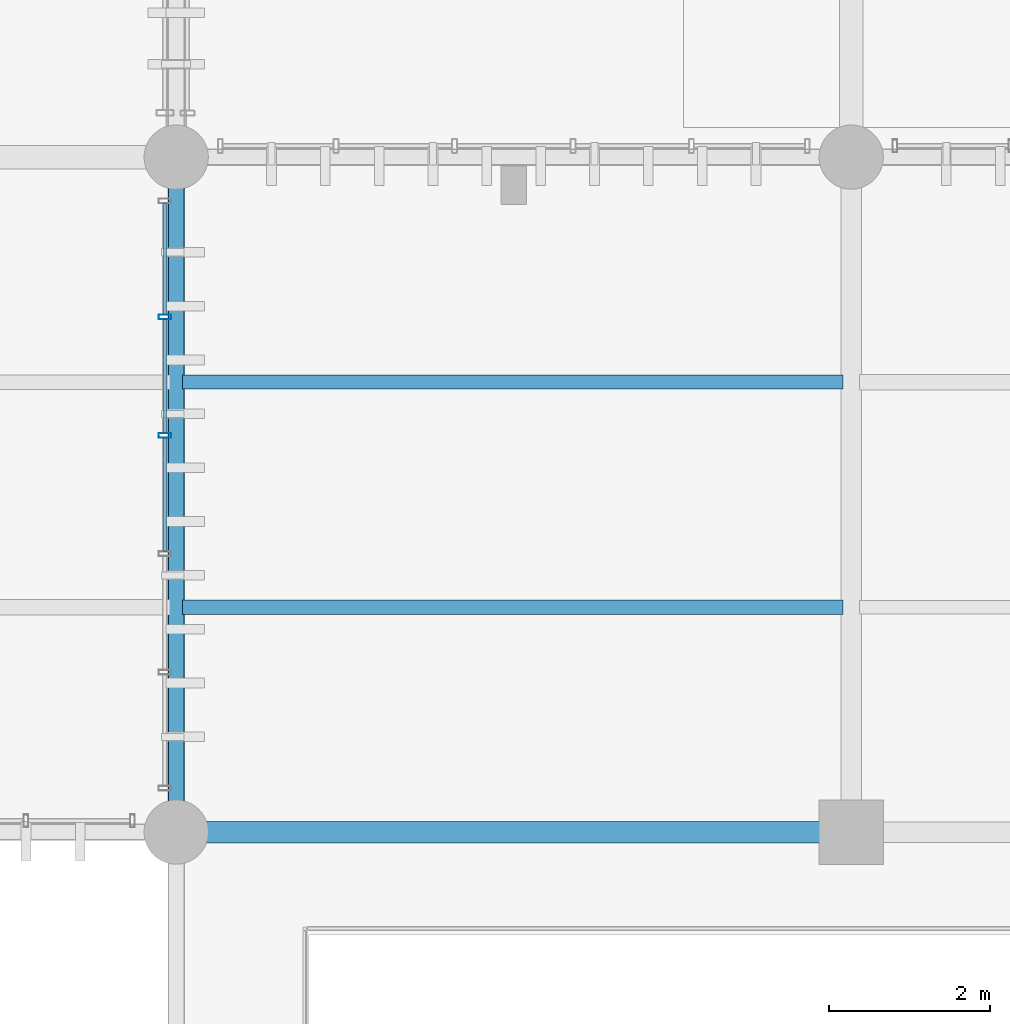
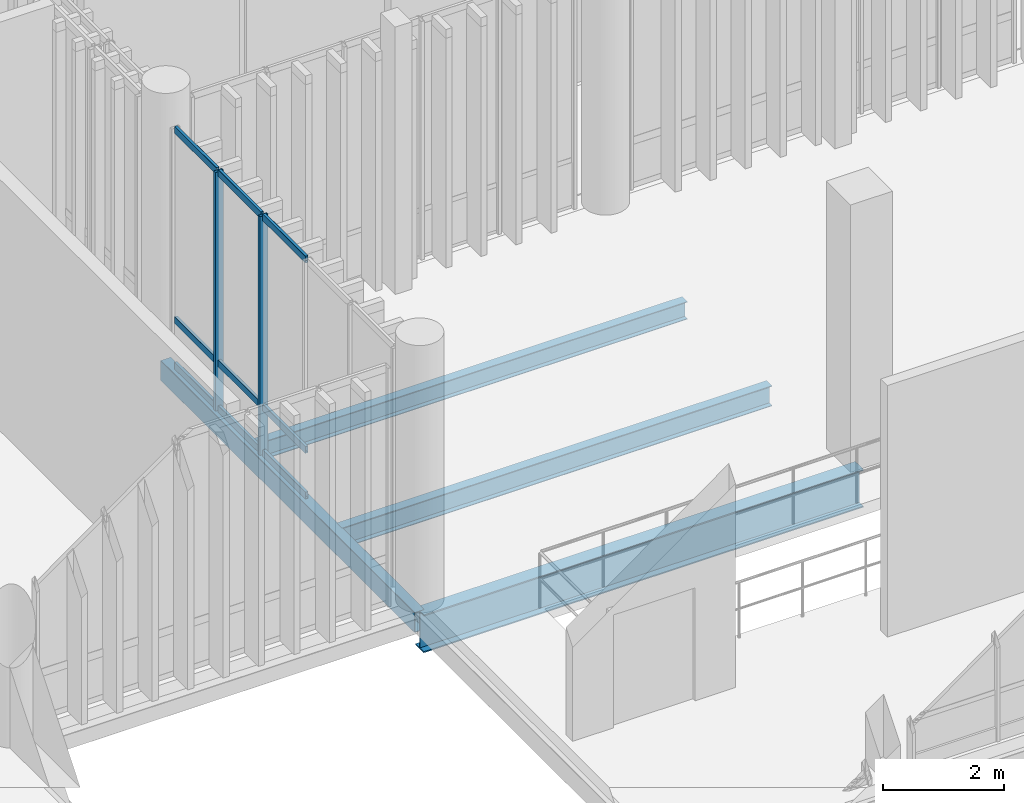
# One storey, part 23 of 128: 11 members, 4 beams, 1 element without a shape of its own.
"""IFC4 building model written with IfcOpenShell, lengths in metres."""

from ifc_helpers import new_model, si_unit, direction, frame, origin_with_axes, origin_2d_with_axis, place, context, subcontext, project, spatial, hollow_rectangle, i_section, extrude, material, material_profile, profile_set, type_object, element, aggregate, save


model = new_model("IFC4")

# Units and contexts
model_context = context("Model", 3, precision=1e-05, world=origin_with_axes(), true_north=direction((0.0, 1.0)))
body_context = subcontext(model_context, "Body", "Model", "MODEL_VIEW")
ifc_project = project(units=[si_unit("LENGTHUNIT", "METRE"), si_unit("AREAUNIT", "SQUARE_METRE"), si_unit("VOLUMEUNIT", "CUBIC_METRE"), si_unit("PLANEANGLEUNIT", "RADIAN"), si_unit("MASSUNIT", "GRAM", prefix="KILO"), si_unit("THERMODYNAMICTEMPERATUREUNIT", "KELVIN")], contexts=[model_context])

# Site, building, storey
site_placement = place(None, origin_with_axes())
site = spatial("IfcSite", under=ifc_project, at=site_placement, CompositionType="ELEMENT")
building_placement = place(site_placement, origin_with_axes())
building = spatial("IfcBuilding", under=site, at=building_placement, Name="Montbau Bow Law Courts", CompositionType="ELEMENT")
storey_placement = place(building_placement, frame((0.0, 0.0, 5.4), z_axis=(0.0, 0.0, 1.0), x_axis=(1.0, 0.0, 0.0)))
storey = spatial("IfcBuildingStorey", under=building, at=storey_placement, Name="L01", CompositionType="ELEMENT", Elevation=5.4)

# Beams
ifc_material_1 = material(Name="Steel CSA G40.21 Grade 350W (350 MPa)", Category="steel")
ifc_material_profile_1 = material_profile(ifc_material_1, i_section(OverallWidth=0.267, OverallDepth=0.766, WebThickness=0.0149, FlangeThickness=0.0236, at=origin_2d_with_axis()), Name="W760X185", Category="Main", Priority=0)
ifc_profile_set_1 = profile_set([ifc_material_profile_1], Name="Steel CSA G40.21 Grade 350W (350 MPa)")
beam_type_1 = type_object("IfcBeamType", Name="B-FLR-03", PredefinedType="BEAM", material=ifc_profile_set_1)
beam_1_placement = place(None, frame((46.8, 30.6, 4.777), z_axis=(1.0, 0.0, 0.0), x_axis=(0.0, 1.0, 0.0)))
element("IfcBeam", 1, at=beam_1_placement, inside=storey, type_object=beam_type_1, Name="BM-L01-S1070:bm2_1073", PredefinedType="BEAM", context=body_context, shape_type="SweptSolid", body=[
    extrude(i_section(OverallWidth=0.267, OverallDepth=0.766, WebThickness=0.0149, FlangeThickness=0.0236, at=origin_2d_with_axis()), origin_with_axes(), (0.0, 0.0, 1.0), 8.4),
])
ifc_material_profile_2 = material_profile(ifc_material_1, i_section(OverallWidth=0.179, OverallDepth=0.41, WebThickness=0.0088, FlangeThickness=0.0144, at=origin_2d_with_axis()), Name="W410X67", Category="Main", Priority=0)
ifc_profile_set_2 = profile_set([ifc_material_profile_2], Name="Steel CSA G40.21 Grade 350W (350 MPa)")
beam_type_2 = type_object("IfcBeamType", Name="B-JST-02", PredefinedType="JOIST", material=ifc_profile_set_2)
beam_2_placement = place(None, frame((46.88, 33.4, 4.955), z_axis=(1.0, 0.0, 0.0), x_axis=(0.0, 1.0, 0.0)))
element("IfcBeam", 2, at=beam_2_placement, inside=storey, type_object=beam_type_2, Name="JST-L01-S0545:jst2_0545", PredefinedType="JOIST", context=body_context, shape_type="SweptSolid", body=[
    extrude(i_section(OverallWidth=0.179, OverallDepth=0.41, WebThickness=0.0088, FlangeThickness=0.0144, at=origin_2d_with_axis()), origin_with_axes(), (0.0, 0.0, 1.0), 8.217),
])
ifc_material_profile_3 = material_profile(ifc_material_1, i_section(OverallWidth=0.172, OverallDepth=0.358, WebThickness=0.0079, FlangeThickness=0.0131, at=origin_2d_with_axis()), Name="W360X57", Category="Main", Priority=0)
ifc_profile_set_3 = profile_set([ifc_material_profile_3], Name="Steel CSA G40.21 Grade 350W (350 MPa)")
beam_type_3 = type_object("IfcBeamType", Name="B-JST-03", PredefinedType="JOIST", material=ifc_profile_set_3)
beam_3_placement = place(None, frame((46.88, 36.2, 4.981), z_axis=(1.0, 0.0, 0.0), x_axis=(0.0, 1.0, 0.0)))
element("IfcBeam", 3, at=beam_3_placement, inside=storey, type_object=beam_type_3, Name="JST-L01-S0546:jst2_0546", PredefinedType="JOIST", context=body_context, shape_type="SweptSolid", body=[
    extrude(i_section(OverallWidth=0.172, OverallDepth=0.358, WebThickness=0.0079, FlangeThickness=0.0131, at=origin_2d_with_axis()), origin_with_axes(), (0.0, 0.0, 1.0), 8.217),
])
ifc_material_2 = material(Name="Steel CSA G40.21 Grade 350WT (350 MPa)", Category="steel")
ifc_material_profile_4 = material_profile(ifc_material_2, hollow_rectangle(XDim=0.203, YDim=0.406, WallThickness=0.0127, InnerFilletRadius=0.0254, OuterFilletRadius=0.0127, at=origin_2d_with_axis()), Name="HSS406X203X13", Category="Main", Priority=0)
ifc_profile_set_4 = profile_set([ifc_material_profile_4], Name="Steel CSA G40.21 Grade 350WT (350 MPa)")
beam_type_4 = type_object("IfcBeamType", Name="B-SPN-01", PredefinedType="SPANDREL", material=ifc_profile_set_4)
beam_4_placement = place(None, frame((46.8, 30.6, 4.957), z_axis=(0.0, 1.0, 0.0), x_axis=(-1.0, 0.0, 0.0)))
element("IfcBeam", 4, at=beam_4_placement, inside=storey, type_object=beam_type_4, Name="SPN-L01-S0547:bm2_0550", PredefinedType="SPANDREL", context=body_context, shape_type="SweptSolid", body=[
    extrude(hollow_rectangle(XDim=0.203, YDim=0.406, WallThickness=0.0127, InnerFilletRadius=0.0254, OuterFilletRadius=0.0127, at=origin_2d_with_axis()), origin_with_axes(), (0.0, 0.0, 1.0), 8.4),
])

# Curtain wall, members
ifc_material_3 = material(Name="Thermally Broken Extruded Aluminium AA 6063-T6", Category="aluminium")
curtain_wall_type = type_object("IfcCurtainWallType", Name="CW-TRC-01", PredefinedType="NOTDEFINED", material=ifc_material_3)
curtain_wall_placement = place(None, frame((46.66, 31.115, 5.4), z_axis=(0.0, 0.0, 1.0), x_axis=(1.0, 0.0, 0.0)))
curtain_wall = element("IfcCurtainWall", 5, at=curtain_wall_placement, inside=storey, type_object=curtain_wall_type, Name="CW-L01-029:cw_0029", PredefinedType="NOTDEFINED")
ifc_material_profile_5 = material_profile(ifc_material_3, hollow_rectangle(XDim=0.06, YDim=0.16, WallThickness=0.004, InnerFilletRadius=0.008, OuterFilletRadius=0.004, at=origin_2d_with_axis()), Name="CWM-160X60", Category="Main", Priority=0)
ifc_profile_set_5 = profile_set([ifc_material_profile_5], Name="Thermally Broken Extruded Aluminium AA 6063-T6")
member_type_1 = type_object("IfcMemberType", Name="M-MUL-03", PredefinedType="MULLION", material=ifc_profile_set_5)
member_1_placement = place(None, frame((46.66, 35.537, 5.4), z_axis=(0.0, 0.0, 1.0), x_axis=(0.0, 1.0, 0.0)))
member_1 = element("IfcMember", 6, at=member_1_placement, type_object=member_type_1, Name="CW-L01-029-M04:cw_0029_M04", PredefinedType="MULLION", context=body_context, shape_type="SweptSolid", body=[
    extrude(hollow_rectangle(XDim=0.06, YDim=0.16, WallThickness=0.004, InnerFilletRadius=0.008, OuterFilletRadius=0.004, at=origin_2d_with_axis()), origin_with_axes(), (0.0, 0.0, 1.0), 4.82),
])
member_2_placement = place(None, frame((46.66, 37.011, 5.4), z_axis=(0.0, 0.0, 1.0), x_axis=(0.0, 1.0, 0.0)))
member_2 = element("IfcMember", 7, at=member_2_placement, type_object=member_type_1, Name="CW-L01-029-M05:cw_0029_M05", PredefinedType="MULLION", context=body_context, shape_type="SweptSolid", body=[
    extrude(hollow_rectangle(XDim=0.06, YDim=0.16, WallThickness=0.004, InnerFilletRadius=0.008, OuterFilletRadius=0.004, at=origin_2d_with_axis()), origin_with_axes(), (0.0, 0.0, 1.0), 4.82),
])
ifc_material_profile_6 = material_profile(ifc_material_3, hollow_rectangle(XDim=0.055, YDim=0.14, WallThickness=0.004, InnerFilletRadius=0.008, OuterFilletRadius=0.004, at=origin_2d_with_axis()), Name="CWT-140X55", Category="Main", Priority=0)
ifc_profile_set_6 = profile_set([ifc_material_profile_6], Name="Thermally Broken Extruded Aluminium AA 6063-T6")
member_type_2 = type_object("IfcMemberType", Name="M-TRN-02", PredefinedType="USERDEFINED", material=ifc_profile_set_6)
member_3_placement = place(None, frame((46.66, 34.095, 5.428), z_axis=(0.0, 1.0, 0.0), x_axis=(-1.0, 0.0, 0.0)))
member_3 = element("IfcMember", 8, at=member_3_placement, type_object=member_type_2, Name="CW-L01-029-T03-1:cw_0029_T03_1", ObjectType="TRANSOM", PredefinedType="USERDEFINED", context=body_context, shape_type="SweptSolid", body=[
    extrude(hollow_rectangle(XDim=0.055, YDim=0.14, WallThickness=0.004, InnerFilletRadius=0.008, OuterFilletRadius=0.004, at=origin_2d_with_axis()), origin_with_axes(), (0.0, 0.0, 1.0), 1.41),
])
member_4_placement = place(None, frame((46.66, 34.095, 6.35), z_axis=(0.0, 1.0, 0.0), x_axis=(-1.0, 0.0, 0.0)))
member_4 = element("IfcMember", 9, at=member_4_placement, type_object=member_type_2, Name="CW-L01-029-T03-2:cw_0029_T03_2", ObjectType="TRANSOM", PredefinedType="USERDEFINED", context=body_context, shape_type="SweptSolid", body=[
    extrude(hollow_rectangle(XDim=0.055, YDim=0.14, WallThickness=0.004, InnerFilletRadius=0.008, OuterFilletRadius=0.004, at=origin_2d_with_axis()), origin_with_axes(), (0.0, 0.0, 1.0), 1.41),
])
member_5_placement = place(None, frame((46.66, 34.095, 10.193), z_axis=(0.0, 1.0, 0.0), x_axis=(-1.0, 0.0, 0.0)))
member_5 = element("IfcMember", 10, at=member_5_placement, type_object=member_type_2, Name="CW-L01-029-T03-3:cw_0029_T03_3", ObjectType="TRANSOM", PredefinedType="USERDEFINED", context=body_context, shape_type="SweptSolid", body=[
    extrude(hollow_rectangle(XDim=0.055, YDim=0.14, WallThickness=0.004, InnerFilletRadius=0.008, OuterFilletRadius=0.004, at=origin_2d_with_axis()), origin_with_axes(), (0.0, 0.0, 1.0), 1.41),
])
member_6_placement = place(None, frame((46.66, 35.569, 5.428), z_axis=(0.0, 1.0, 0.0), x_axis=(-1.0, 0.0, 0.0)))
member_6 = element("IfcMember", 11, at=member_6_placement, type_object=member_type_2, Name="CW-L01-029-T04-1:cw_0029_T04_1", ObjectType="TRANSOM", PredefinedType="USERDEFINED", context=body_context, shape_type="SweptSolid", body=[
    extrude(hollow_rectangle(XDim=0.055, YDim=0.14, WallThickness=0.004, InnerFilletRadius=0.008, OuterFilletRadius=0.004, at=origin_2d_with_axis()), origin_with_axes(), (0.0, 0.0, 1.0), 1.41),
])
member_7_placement = place(None, frame((46.66, 35.569, 6.35), z_axis=(0.0, 1.0, 0.0), x_axis=(-1.0, 0.0, 0.0)))
member_7 = element("IfcMember", 12, at=member_7_placement, type_object=member_type_2, Name="CW-L01-029-T04-2:cw_0029_T04_2", ObjectType="TRANSOM", PredefinedType="USERDEFINED", context=body_context, shape_type="SweptSolid", body=[
    extrude(hollow_rectangle(XDim=0.055, YDim=0.14, WallThickness=0.004, InnerFilletRadius=0.008, OuterFilletRadius=0.004, at=origin_2d_with_axis()), origin_with_axes(), (0.0, 0.0, 1.0), 1.41),
])
member_8_placement = place(None, frame((46.66, 35.569, 10.193), z_axis=(0.0, 1.0, 0.0), x_axis=(-1.0, 0.0, 0.0)))
member_8 = element("IfcMember", 13, at=member_8_placement, type_object=member_type_2, Name="CW-L01-029-T04-3:cw_0029_T04_3", ObjectType="TRANSOM", PredefinedType="USERDEFINED", context=body_context, shape_type="SweptSolid", body=[
    extrude(hollow_rectangle(XDim=0.055, YDim=0.14, WallThickness=0.004, InnerFilletRadius=0.008, OuterFilletRadius=0.004, at=origin_2d_with_axis()), origin_with_axes(), (0.0, 0.0, 1.0), 1.41),
])
member_9_placement = place(None, frame((46.66, 37.043, 5.428), z_axis=(0.0, 1.0, 0.0), x_axis=(-1.0, 0.0, 0.0)))
member_9 = element("IfcMember", 14, at=member_9_placement, type_object=member_type_2, Name="CW-L01-029-T05-1:cw_0029_T05_1", ObjectType="TRANSOM", PredefinedType="USERDEFINED", context=body_context, shape_type="SweptSolid", body=[
    extrude(hollow_rectangle(XDim=0.055, YDim=0.14, WallThickness=0.004, InnerFilletRadius=0.008, OuterFilletRadius=0.004, at=origin_2d_with_axis()), origin_with_axes(), (0.0, 0.0, 1.0), 1.38),
])
member_10_placement = place(None, frame((46.66, 37.043, 6.35), z_axis=(0.0, 1.0, 0.0), x_axis=(-1.0, 0.0, 0.0)))
member_10 = element("IfcMember", 15, at=member_10_placement, type_object=member_type_2, Name="CW-L01-029-T05-2:cw_0029_T05_2", ObjectType="TRANSOM", PredefinedType="USERDEFINED", context=body_context, shape_type="SweptSolid", body=[
    extrude(hollow_rectangle(XDim=0.055, YDim=0.14, WallThickness=0.004, InnerFilletRadius=0.008, OuterFilletRadius=0.004, at=origin_2d_with_axis()), origin_with_axes(), (0.0, 0.0, 1.0), 1.38),
])
member_11_placement = place(None, frame((46.66, 37.043, 10.193), z_axis=(0.0, 1.0, 0.0), x_axis=(-1.0, 0.0, 0.0)))
member_11 = element("IfcMember", 16, at=member_11_placement, type_object=member_type_2, Name="CW-L01-029-T05-3:cw_0029_T05_3", ObjectType="TRANSOM", PredefinedType="USERDEFINED", context=body_context, shape_type="SweptSolid", body=[
    extrude(hollow_rectangle(XDim=0.055, YDim=0.14, WallThickness=0.004, InnerFilletRadius=0.008, OuterFilletRadius=0.004, at=origin_2d_with_axis()), origin_with_axes(), (0.0, 0.0, 1.0), 1.38),
])
aggregate(curtain_wall, [member_1, member_2, member_3, member_4, member_5, member_6, member_7, member_8, member_9, member_10, member_11])

save(model, "model.ifc")
